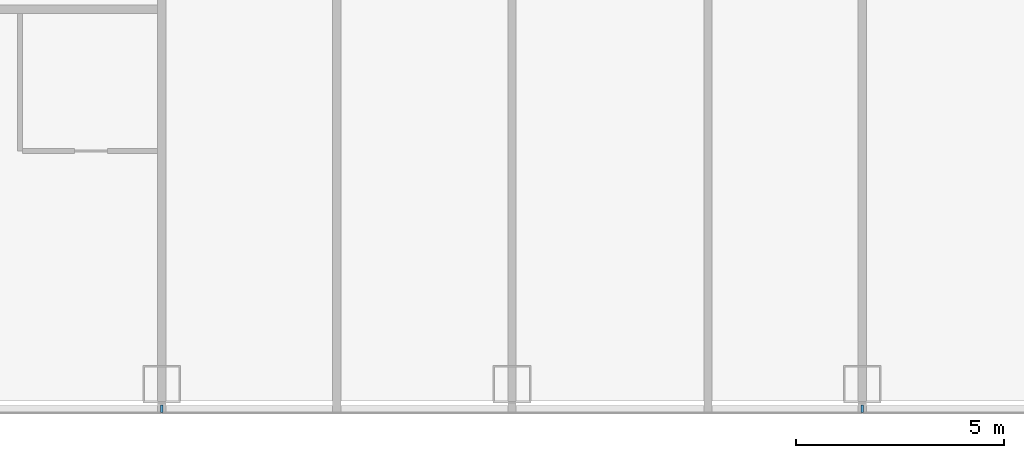
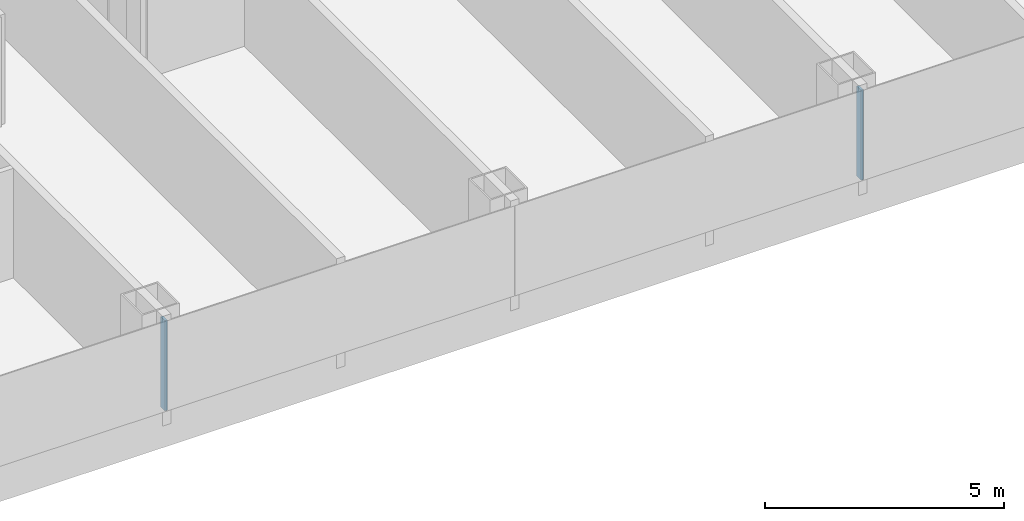
# One storey, part 4 of 29: 2 members, 1 element without a shape of its own.
"""IFC4 building model written with IfcOpenShell, lengths in metres."""

from ifc_helpers import new_model, si_unit, direction, frame, origin, origin_2d, place, context, subcontext, project, spatial, rectangle, extrude, material, layer, layer_set, material_profile, profile_set, type_object, element, aggregate, save


model = new_model("IFC4")

# Units and contexts
model_context = context("Model", 3, precision=1e-05, world=origin(), true_north=direction((0.0, 1.0)))
body_context = subcontext(model_context, "Body", "Model", "MODEL_VIEW")
ifc_project = project(units=[si_unit("LENGTHUNIT", "METRE"), si_unit("AREAUNIT", "SQUARE_METRE"), si_unit("VOLUMEUNIT", "CUBIC_METRE"), si_unit("PLANEANGLEUNIT", "RADIAN"), si_unit("MASSUNIT", "GRAM", prefix="KILO")], contexts=[model_context])

# Site, building, storey
site_placement = place(None, origin())
site = spatial("IfcSite", under=ifc_project, at=site_placement, CompositionType="ELEMENT")
building_placement = place(site_placement, origin())
building = spatial("IfcBuilding", under=site, at=building_placement, Name="Hakoniwa Tower and Hamabe Station Hall", CompositionType="ELEMENT")
storey_placement = place(building_placement, frame((0.0, 0.0, 45.39990234375)))
storey = spatial("IfcBuildingStorey", under=building, at=storey_placement, Name="L12", CompositionType="ELEMENT", Elevation=45.39990234375)

# Curtain wall, members
ifc_material_1 = material(Name="Dark low-e laminated glass", Category="glass")
ifc_layer = layer(ifc_material_1, 0.199951171875)
ifc_layer_set = layer_set([ifc_layer], Name="CW-1 UNITISED GUEST")
curtain_wall_type = type_object("IfcCurtainWallType", Name="CW-1 UNITISED GUEST", PredefinedType="NOTDEFINED", material=ifc_layer_set)
curtain_wall_placement = place(storey_placement, origin())
curtain_wall = element("IfcCurtainWall", 1, at=curtain_wall_placement, inside=storey, type_object=curtain_wall_type, Name="CW-1 curtain wall", PredefinedType="NOTDEFINED")
ifc_material_2 = material(Name="Aluminium 6063-T5 black anodised", Category="aluminium")
ifc_material_profile = material_profile(ifc_material_2, rectangle(XDim=0.06005859375, YDim=0.179931640625, at=origin_2d()), Name="CW-1 MULLION 60X180")
ifc_profile_set = profile_set([ifc_material_profile], Name="Aluminium 6063-T5 black anodised")
member_type = type_object("IfcMemberType", Name="CW-1 MULLION 60X180", PredefinedType="MULLION", material=ifc_profile_set)
member_1_placement = place(storey_placement, frame((-16.800048828125, -20.181884765625, 0.35009765625), z_axis=(0.0, 0.0, 1.0), x_axis=(1.0, 0.0, 0.0)))
member_1 = element("IfcMember", 2, at=member_1_placement, type_object=member_type, Name="CW-1 mullion", PredefinedType="MULLION", context=body_context, shape_type="SweptSolid", body=[
    extrude(rectangle(XDim=0.06005859375, YDim=0.179931640625, at=origin_2d()), origin(), (0.0, 0.0, 1.0), 2.300048828125),
])
member_2_placement = place(storey_placement, frame((0.0, -20.181884765625, 0.35009765625), z_axis=(0.0, 0.0, 1.0), x_axis=(1.0, 0.0, 0.0)))
member_2 = element("IfcMember", 3, at=member_2_placement, type_object=member_type, Name="CW-1 mullion", PredefinedType="MULLION", context=body_context, shape_type="SweptSolid", body=[
    extrude(rectangle(XDim=0.06005859375, YDim=0.179931640625, at=origin_2d()), origin(), (0.0, 0.0, 1.0), 2.300048828125),
])
aggregate(curtain_wall, [member_1, member_2])

save(model, "model.ifc")
